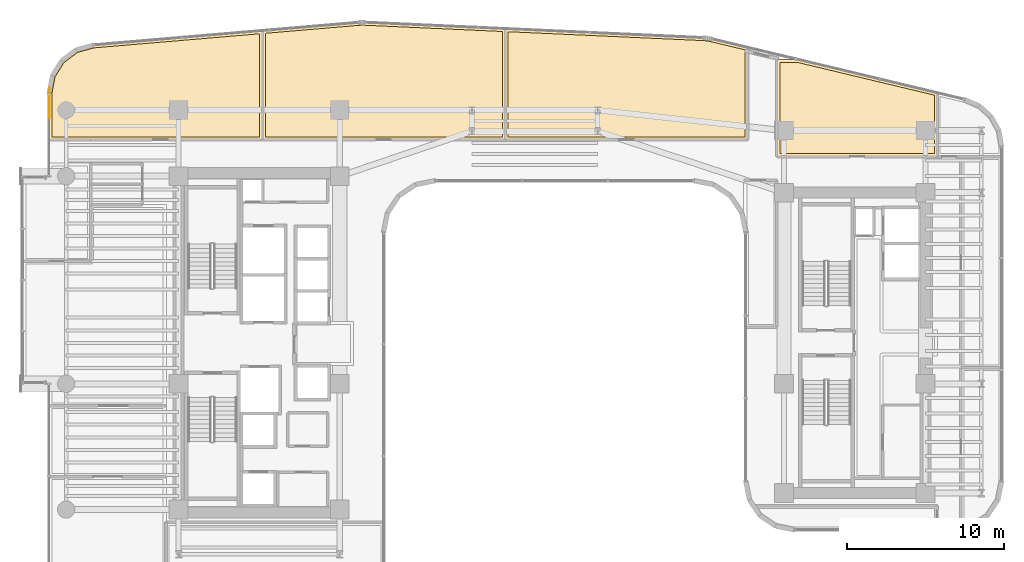
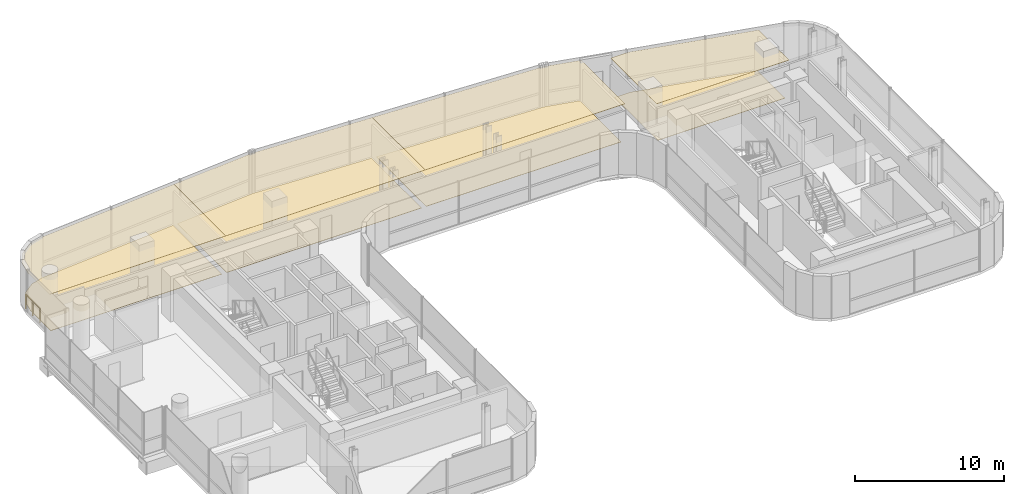
# One storey, part 34 of 34: 8 coverings, 1 railing.
"""IFC4 building model written with IfcOpenShell, lengths in metres."""

from ifc_helpers import new_model, si_unit, direction, frame, origin, origin_2d, place, context, subcontext, project, spatial, polyline, circle, outline, extrude, material, layer, layer_set, type_object, element, save


model = new_model("IFC4")

# Units and contexts
model_context = context("Model", 3, precision=1e-05, world=origin(), true_north=direction((0.0, 1.0)))
body_context = subcontext(model_context, "Body", "Model", "MODEL_VIEW")
ifc_project = project(units=[si_unit("LENGTHUNIT", "METRE"), si_unit("AREAUNIT", "SQUARE_METRE"), si_unit("VOLUMEUNIT", "CUBIC_METRE"), si_unit("PLANEANGLEUNIT", "RADIAN"), si_unit("MASSUNIT", "GRAM", prefix="KILO")], contexts=[model_context])

# Site, building, storey
site_placement = place(None, origin())
site = spatial("IfcSite", under=ifc_project, at=site_placement, CompositionType="ELEMENT")
building_placement = place(site_placement, origin())
building = spatial("IfcBuilding", under=site, at=building_placement, Name="Valdorenza Pilgrim Sanctuary Tower", CompositionType="ELEMENT")
storey_placement = place(building_placement, frame((0.0, 0.0, 142.699951171875)))
storey = spatial("IfcBuildingStorey", under=building, at=storey_placement, Name="L36", CompositionType="ELEMENT", Elevation=142.699951171875)

# Coverings
ifc_material_1 = material(Name="Micro-perforated acoustic mineral ceiling tile", Category="gypsum")
ifc_layer_1 = layer(ifc_material_1, 0.02490234375, Name="Micro-perforated acoustic mineral ceiling tile")
ifc_layer_set_1 = layer_set([ifc_layer_1], Name="Micro-perforated acoustic mineral ceiling tile")
covering_type_1 = type_object("IfcCoveringType", Name="COV-CLG-ACU", PredefinedType="CEILING", material=ifc_layer_set_1)
covering_1_placement = place(storey_placement, frame((0.0, 0.0, 3.16015625)))
element("IfcCovering", 1, at=covering_1_placement, inside=storey, type_object=covering_type_1, Name="L36 Private Banquet Dining Room L36-N1 Acoustic Ceiling", PredefinedType="CEILING", context=body_context, shape_type="SweptSolid", body=[
    extrude(outline(polyline([(-30.889892578125, 12.905029296875), (-30.8916015625, 12.905029296875), (-30.892822265625, 12.9052734375), (-30.894287109375, 12.905517578125), (-30.895751953125, 12.906005859375), (-30.897216796875, 12.90673828125), (-30.898193359375, 12.907470703125), (-30.8994140625, 12.908447265625), (-30.900634765625, 12.909423828125), (-30.901611328125, 12.910400390625), (-30.902587890625, 12.91162109375), (-30.9033203125, 12.912841796875), (-30.90380859375, 12.914306640625), (-30.904296875, 12.91552734375), (-30.90478515625, 12.9169921875), (-30.90478515625, 12.91845703125), (-30.905029296875, 12.919921875), (-30.905029296875, 15.850341796875), (-30.90478515625, 15.8515625), (-30.90478515625, 15.85302734375), (-30.692138671875, 16.984130859375), (-30.69189453125, 16.985595703125), (-30.69140625, 16.98681640625), (-30.69091796875, 16.98828125), (-30.690185546875, 16.989501953125), (-30.0869140625, 17.95751953125), (-30.086181640625, 17.958740234375), (-30.085205078125, 17.959716796875), (-30.084228515625, 17.960693359375), (-30.083251953125, 17.961669921875), (-29.169677734375, 18.64453125), (-29.16845703125, 18.6455078125), (-29.167236328125, 18.64599609375), (-29.166015625, 18.646484375), (-29.164794921875, 18.647216796875), (-28.055419921875, 18.95458984375), (-28.05419921875, 18.955078125), (-28.052734375, 18.955078125), (-17.311279296875, 19.8681640625), (-17.309814453125, 19.8681640625), (-17.308349609375, 19.8681640625), (-17.306884765625, 19.867919921875), (-17.305419921875, 19.86767578125), (-17.30419921875, 19.8671875), (-17.302734375, 19.866455078125), (-17.301513671875, 19.86572265625), (-17.30029296875, 19.86474609375), (-17.29931640625, 19.86376953125), (-17.29833984375, 19.86279296875), (-17.297607421875, 19.861572265625), (-17.296630859375, 19.8603515625), (-17.296142578125, 19.85888671875), (-17.295654296875, 19.857666015625), (-17.29541015625, 19.856201171875), (-17.295166015625, 19.854736328125), (-17.294921875, 19.853271484375), (-17.294921875, 12.919921875), (-17.295166015625, 12.91845703125), (-17.29541015625, 12.9169921875), (-17.295654296875, 12.91552734375), (-17.296142578125, 12.914306640625), (-17.296875, 12.912841796875), (-17.297607421875, 12.91162109375), (-17.29833984375, 12.910400390625), (-17.29931640625, 12.909423828125), (-17.300537109375, 12.908447265625), (-17.3017578125, 12.907470703125), (-17.302978515625, 12.90673828125), (-17.30419921875, 12.906005859375), (-17.3056640625, 12.905517578125), (-17.30712890625, 12.9052734375), (-17.30859375, 12.905029296875), (-17.31005859375, 12.905029296875), (-30.889892578125, 12.905029296875)])), origin(), (0.0, 0.0, 1.0), 0.02490234375),
])
covering_2_placement = place(storey_placement, frame((0.0, 0.0, 3.16015625)))
element("IfcCovering", 2, at=covering_2_placement, inside=storey, type_object=covering_type_1, Name="L36 Private Banquet Dining Room L36-N2 Acoustic Ceiling", PredefinedType="CEILING", context=body_context, shape_type="SweptSolid", body=[
    extrude(outline(polyline([(-17.322998046875, 19.853271484375), (-17.322998046875, 19.85400390625), (-17.322998046875, 19.855712890625), (-17.322509765625, 19.85693359375), (-17.322265625, 19.8583984375), (-17.321533203125, 19.859619140625), (-17.321044921875, 19.861083984375), (-17.3203125, 19.8623046875), (-17.3193359375, 19.86328125), (-17.318359375, 19.8642578125), (-17.317138671875, 19.865234375), (-17.31591796875, 19.8662109375), (-17.314697265625, 19.86669921875), (-17.3134765625, 19.867431640625), (-17.31201171875, 19.867919921875), (-17.310791015625, 19.8681640625), (-17.309326171875, 19.868408203125), (-11.20068359375, 20.3876953125), (-11.200439453125, 20.3876953125), (-11.099365234375, 20.39453125), (-11.098876953125, 20.39453125), (-10.998291015625, 20.398193359375), (-10.997802734375, 20.398193359375), (-10.897216796875, 20.398681640625), (-10.896728515625, 20.398681640625), (-10.79541015625, 20.3955078125), (-10.795166015625, 20.3955078125), (-1.87939453125, 19.990234375), (-1.8779296875, 19.990234375), (-1.87646484375, 19.989990234375), (-1.875, 19.989501953125), (-1.873779296875, 19.989013671875), (-1.87255859375, 19.98828125), (-1.871337890625, 19.987548828125), (-1.8701171875, 19.98681640625), (-1.869140625, 19.985595703125), (-1.8681640625, 19.984619140625), (-1.867431640625, 19.9833984375), (-1.86669921875, 19.982177734375), (-1.8662109375, 19.98095703125), (-1.865478515625, 19.9794921875), (-1.865234375, 19.978271484375), (-1.864990234375, 19.976806640625), (-1.864990234375, 19.975341796875), (-1.864990234375, 12.919921875), (-1.864990234375, 12.91845703125), (-1.865234375, 12.9169921875), (-1.865478515625, 12.91552734375), (-1.8662109375, 12.914306640625), (-1.86669921875, 12.912841796875), (-1.867431640625, 12.91162109375), (-1.868408203125, 12.910400390625), (-1.869384765625, 12.909423828125), (-1.87060546875, 12.908447265625), (-1.87158203125, 12.907470703125), (-1.872802734375, 12.90673828125), (-1.874267578125, 12.906005859375), (-1.87548828125, 12.905517578125), (-1.877197265625, 12.9052734375), (-1.87841796875, 12.905029296875), (-1.8798828125, 12.905029296875), (-17.30810546875, 12.905029296875), (-17.3095703125, 12.905029296875), (-17.310791015625, 12.9052734375), (-17.3125, 12.905517578125), (-17.313720703125, 12.906005859375), (-17.315185546875, 12.90673828125), (-17.31640625, 12.907470703125), (-17.3173828125, 12.908447265625), (-17.318603515625, 12.909423828125), (-17.319580078125, 12.910400390625), (-17.320556640625, 12.91162109375), (-17.3212890625, 12.912841796875), (-17.322021484375, 12.914306640625), (-17.322509765625, 12.91552734375), (-17.32275390625, 12.9169921875), (-17.322998046875, 12.91845703125), (-17.322998046875, 12.919921875), (-17.322998046875, 19.853271484375), (-17.322998046875, 19.853271484375)])), origin(), (0.0, 0.0, 1.0), 0.02490234375),
])
covering_3_placement = place(storey_placement, frame((0.0, 0.0, 3.16015625)))
element("IfcCovering", 3, at=covering_3_placement, inside=storey, type_object=covering_type_1, Name="L36 Private Banquet Dining Room L36-N3 Acoustic Ceiling", PredefinedType="CEILING", context=body_context, shape_type="SweptSolid", body=[
    extrude(outline(polyline([(-1.8779296875, 12.905029296875), (-1.87939453125, 12.905029296875), (-1.880859375, 12.9052734375), (-1.88232421875, 12.905517578125), (-1.8837890625, 12.906005859375), (-1.885009765625, 12.90673828125), (-1.88623046875, 12.907470703125), (-1.887451171875, 12.908447265625), (-1.888671875, 12.909423828125), (-1.8896484375, 12.910400390625), (-1.890380859375, 12.91162109375), (-1.89111328125, 12.912841796875), (-1.891845703125, 12.914306640625), (-1.892333984375, 12.91552734375), (-1.892578125, 12.9169921875), (-1.892822265625, 12.91845703125), (-1.89306640625, 12.919921875), (-1.89306640625, 19.97509765625), (-1.892822265625, 19.976806640625), (-1.892578125, 19.978271484375), (-1.892333984375, 19.979736328125), (-1.891845703125, 19.981201171875), (-1.89111328125, 19.982421875), (-1.890380859375, 19.98388671875), (-1.889404296875, 19.985107421875), (-1.888427734375, 19.986083984375), (-1.88720703125, 19.987060546875), (-1.885986328125, 19.98779296875), (-1.884765625, 19.98876953125), (-1.88330078125, 19.9892578125), (-1.8818359375, 19.98974609375), (-1.88037109375, 19.989990234375), (-1.87890625, 19.990234375), (-1.877197265625, 19.990234375), (10.690673828125, 19.4189453125), (10.69091796875, 19.4189453125), (10.838134765625, 19.40869140625), (10.8388671875, 19.40869140625), (10.984375, 19.3916015625), (10.985107421875, 19.3916015625), (11.12939453125, 19.36767578125), (11.130126953125, 19.36767578125), (11.274658203125, 19.336669921875), (11.27490234375, 19.33642578125), (13.553466796875, 18.791015625), (13.554931640625, 18.790771484375), (13.55615234375, 18.790283203125), (13.5576171875, 18.78955078125), (13.55859375, 18.788818359375), (13.559814453125, 18.787841796875), (13.560791015625, 18.786865234375), (13.561767578125, 18.785888671875), (13.5625, 18.78466796875), (13.563232421875, 18.783447265625), (13.56396484375, 18.781982421875), (13.564453125, 18.78076171875), (13.564697265625, 18.779296875), (13.56494140625, 18.778076171875), (13.56494140625, 18.776611328125), (13.56494140625, 12.919921875), (13.56494140625, 12.91845703125), (13.564697265625, 12.9169921875), (13.564453125, 12.91552734375), (13.56396484375, 12.914306640625), (13.563232421875, 12.912841796875), (13.5625, 12.91162109375), (13.5615234375, 12.910400390625), (13.560546875, 12.909423828125), (13.5595703125, 12.908447265625), (13.558349609375, 12.907470703125), (13.55712890625, 12.90673828125), (13.5556640625, 12.906005859375), (13.554443359375, 12.905517578125), (13.552978515625, 12.9052734375), (13.551513671875, 12.905029296875), (13.550048828125, 12.905029296875), (-1.8779296875, 12.905029296875)])), origin(), (0.0, 0.0, 1.0), 0.02490234375),
])
covering_4_placement = place(storey_placement, frame((0.0, 0.0, 3.16015625)))
element("IfcCovering", 4, at=covering_4_placement, inside=storey, type_object=covering_type_1, Name="L36 Curator Research Office L36-BN1 Acoustic Ceiling", PredefinedType="CEILING", context=body_context, shape_type="SweptSolid", body=[
    extrude(outline(polyline([(15.39990234375, 11.8349609375), (15.3984375, 11.835205078125), (15.397216796875, 11.835205078125), (15.3955078125, 11.835693359375), (15.394287109375, 11.836181640625), (15.392822265625, 11.8369140625), (15.3916015625, 11.83740234375), (15.390380859375, 11.83837890625), (15.389404296875, 11.83935546875), (15.388427734375, 11.840576171875), (15.387451171875, 11.841796875), (15.38671875, 11.843017578125), (15.385986328125, 11.84423828125), (15.385498046875, 11.845703125), (15.38525390625, 11.84716796875), (15.385009765625, 11.848388671875), (15.385009765625, 11.85009765625), (15.385009765625, 18.0), (15.385009765625, 18.00146484375), (15.38525390625, 18.0029296875), (15.385498046875, 18.00439453125), (15.385986328125, 18.005615234375), (15.38671875, 18.007080078125), (15.387451171875, 18.00830078125), (15.388427734375, 18.009521484375), (15.389404296875, 18.010498046875), (15.390380859375, 18.01171875), (15.3916015625, 18.012451171875), (15.392822265625, 18.01318359375), (15.394287109375, 18.013916015625), (15.3955078125, 18.014404296875), (15.397216796875, 18.0146484375), (15.3984375, 18.014892578125), (15.39990234375, 18.014892578125), (16.794189453125, 18.014892578125), (16.7958984375, 18.014892578125), (16.797607421875, 18.0146484375), (25.603515625, 15.90673828125), (25.60498046875, 15.906494140625), (25.606201171875, 15.906005859375), (25.607421875, 15.9052734375), (25.608642578125, 15.904541015625), (25.60986328125, 15.903564453125), (25.61083984375, 15.902587890625), (25.61181640625, 15.901611328125), (25.612548828125, 15.900390625), (25.61328125, 15.899169921875), (25.614013671875, 15.897705078125), (25.614501953125, 15.896484375), (25.61474609375, 15.89501953125), (25.614990234375, 15.893798828125), (25.614990234375, 15.892333984375), (25.614990234375, 11.85009765625), (25.614990234375, 11.848388671875), (25.61474609375, 11.84716796875), (25.614501953125, 11.845703125), (25.614013671875, 11.84423828125), (25.61328125, 11.843017578125), (25.612548828125, 11.841796875), (25.611572265625, 11.840576171875), (25.610595703125, 11.83935546875), (25.609619140625, 11.83837890625), (25.6083984375, 11.83740234375), (25.607177734375, 11.8369140625), (25.605712890625, 11.836181640625), (25.6044921875, 11.835693359375), (25.602783203125, 11.835205078125), (25.6015625, 11.835205078125), (25.60009765625, 11.8349609375), (15.39990234375, 11.8349609375)])), origin(), (0.0, 0.0, 1.0), 0.02490234375),
])
ifc_material_2 = material(Name="Engineered European oak timber flooring", Category="wood")
ifc_layer_2 = layer(ifc_material_2, 0.02197265625, Name="Engineered European oak timber flooring")
ifc_layer_set_2 = layer_set([ifc_layer_2], Name="Engineered European oak timber flooring")
covering_type_2 = type_object("IfcCoveringType", Name="COV-FLR-OAK", PredefinedType="FLOORING", material=ifc_layer_set_2)
covering_5_placement = place(storey_placement, origin())
element("IfcCovering", 5, at=covering_5_placement, inside=storey, type_object=covering_type_2, Name="L36 Private Banquet Dining Room L36-N1 Flooring", PredefinedType="FLOORING", context=body_context, shape_type="SweptSolid", body=[
    extrude(outline(polyline([(-30.7099609375, 13.10009765625), (-30.7099609375, 15.83349609375), (-30.5068359375, 16.9150390625), (-29.939208984375, 17.82568359375), (-29.080078125, 18.46826171875), (-28.01953125, 18.76220703125), (-17.489990234375, 19.6572265625), (-17.489990234375, 13.10009765625), (-30.7099609375, 13.10009765625)])), origin(), (0.0, 0.0, 1.0), 0.025146484375),
])
covering_6_placement = place(storey_placement, origin())
element("IfcCovering", 6, at=covering_6_placement, inside=storey, type_object=covering_type_2, Name="L36 Private Banquet Dining Room L36-N2 Flooring", PredefinedType="FLOORING", context=body_context, shape_type="SweptSolid", body=[
    extrude(outline(polyline([(-17.1279296875, 13.10009765625), (-17.1279296875, 19.68798828125), (-11.185546875, 20.193115234375), (-11.0888671875, 20.199951171875), (-10.994140625, 20.203125), (-10.8994140625, 20.20361328125), (-10.802490234375, 20.20068359375), (-2.06005859375, 19.80322265625), (-2.06005859375, 13.10009765625), (-17.1279296875, 13.10009765625)])), origin(), (0.0, 0.0, 1.0), 0.025146484375),
])
covering_7_placement = place(storey_placement, origin())
element("IfcCovering", 7, at=covering_7_placement, inside=storey, type_object=covering_type_2, Name="L36 Private Banquet Dining Room L36-N3 Flooring", PredefinedType="FLOORING", context=body_context, shape_type="SweptSolid", body=[
    extrude(outline(polyline([(-1.697998046875, 13.10009765625), (-1.697998046875, 19.786865234375), (10.6796875, 19.224365234375), (10.820556640625, 19.214599609375), (10.95751953125, 19.198486328125), (11.093505859375, 19.176025390625), (11.231689453125, 19.146484375), (13.3701171875, 18.634521484375), (13.3701171875, 13.10009765625), (-1.697998046875, 13.10009765625)])), origin(), (0.0, 0.0, 1.0), 0.025146484375),
])
ifc_material_3 = material(Name="Honed travertine stone flooring", Category="masonry")
ifc_layer_3 = layer(ifc_material_3, 0.030029296875, Name="Honed travertine stone flooring")
ifc_layer_set_3 = layer_set([ifc_layer_3], Name="Honed travertine stone flooring")
covering_type_3 = type_object("IfcCoveringType", Name="COV-FLR-TRV", PredefinedType="FLOORING", material=ifc_layer_set_3)
covering_8_placement = place(storey_placement, origin())
element("IfcCovering", 8, at=covering_8_placement, inside=storey, type_object=covering_type_3, Name="L36 Curator Research Office L36-BN1 Flooring", PredefinedType="FLOORING", context=body_context, shape_type="SweptSolid", body=[
    extrude(outline(polyline([(15.580078125, 12.030029296875), (15.580078125, 17.820068359375), (16.77294921875, 17.820068359375), (25.419921875, 15.750244140625), (25.419921875, 12.030029296875), (15.580078125, 12.030029296875)])), origin(), (0.0, 0.0, 1.0), 0.025146484375),
])

# Railing
ifc_material_4 = material(Name="Stainless steel Grade 316", Category="steel")
railing_type = type_object("IfcRailingType", Name="RLG-GRD-1120", PredefinedType="GUARDRAIL", material=ifc_material_4)
railing_placement = place(storey_placement, frame((-30.860107421875, 14.300048828125, 0.0)))
element("IfcRailing", 9, at=railing_placement, inside=storey, type_object=railing_type, Name="L36 NW Tangent Safety Sill Guard", PredefinedType="GUARDRAIL", context=body_context, shape_type="SweptSolid", body=[
    extrude(circle(Radius=0.02392578125, at=origin_2d()), frame((0.0, 0.0, 1.17578125), z_axis=(0.0, 1.0, 0.0), x_axis=(-1.0, 0.0, 0.0)), (0.0, 0.0, 1.0), 1.89990234375),
    extrude(circle(Radius=0.02099609375, at=origin_2d()), origin(), (0.0, 0.0, 1.0), 1.15185546875),
    extrude(circle(Radius=0.02099609375, at=origin_2d()), frame((0.0, 0.949951171875, 0.0)), (0.0, 0.0, 1.0), 1.15185546875),
    extrude(circle(Radius=0.02099609375, at=origin_2d()), frame((0.0, 1.89990234375, 0.0)), (0.0, 0.0, 1.0), 1.15185546875),
])

save(model, "model.ifc")
